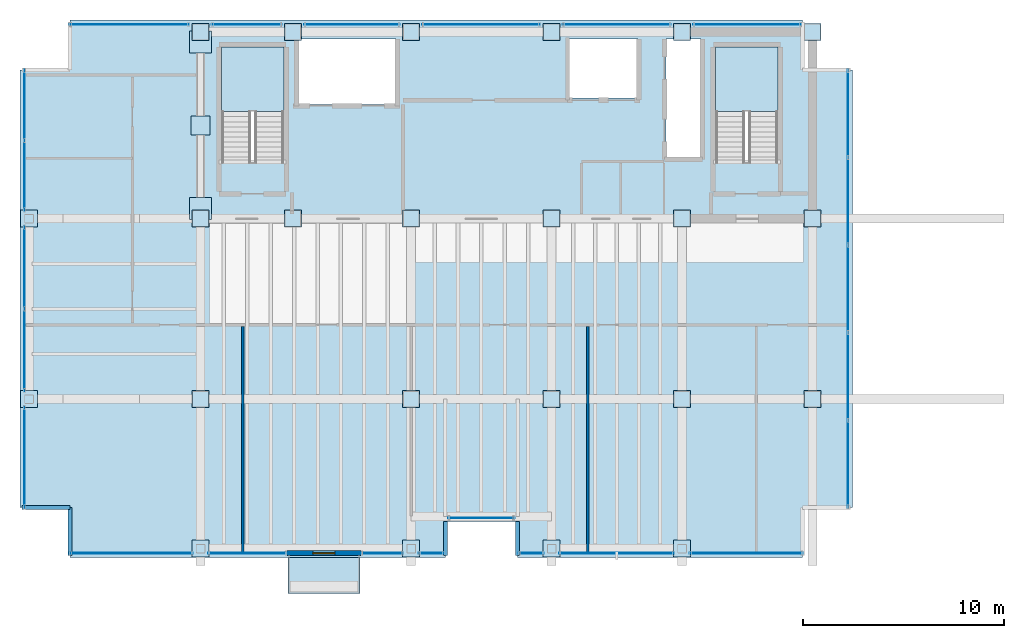
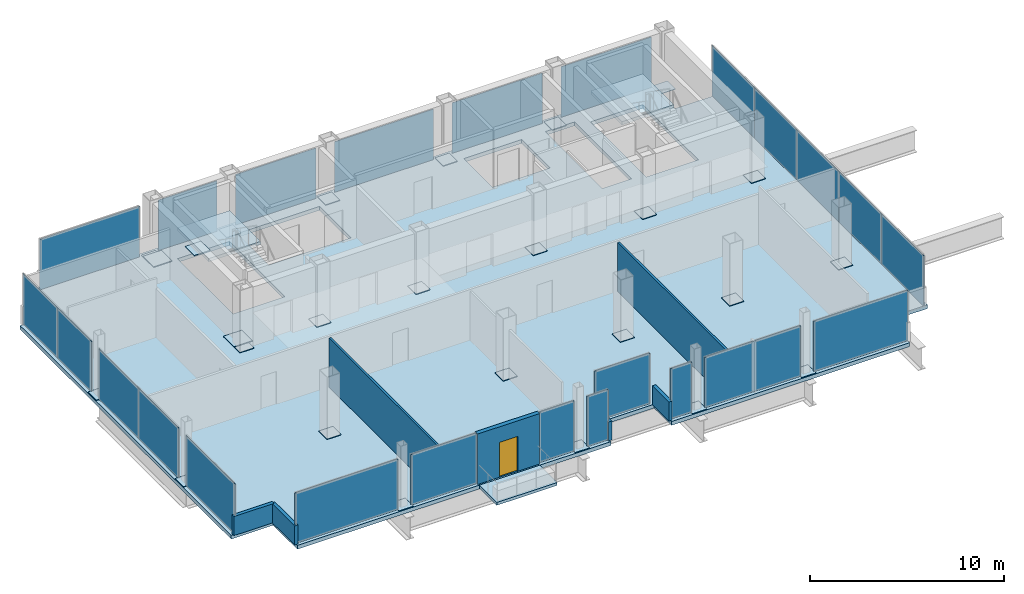
# One storey, part 19 of 22: 50 plates, 7 walls, 4 slabs, 1 door, 6 openings, 20 elements without a shape of their own.
"""IFC4 building model written with IfcOpenShell, lengths in metres."""

from ifc_helpers import new_model, si_unit, direction, frame, frame_2d, origin, origin_2d, place, context, subcontext, project, spatial, polyline, rectangle, outline, extrude, material, layer, layer_set, type_object, element, fill, aggregate, save


model = new_model("IFC4")

# Units and contexts
model_context = context("Model", 3, precision=1e-05, world=origin(), true_north=direction((0.0, 1.0)))
body_context = subcontext(model_context, "Body", "Model", "MODEL_VIEW")
ifc_project = project(units=[si_unit("LENGTHUNIT", "METRE"), si_unit("AREAUNIT", "SQUARE_METRE"), si_unit("VOLUMEUNIT", "CUBIC_METRE"), si_unit("PLANEANGLEUNIT", "RADIAN"), si_unit("MASSUNIT", "GRAM", prefix="KILO")], contexts=[model_context])

# Site, building, storey
site_placement = place(None, origin())
site = spatial("IfcSite", under=ifc_project, at=site_placement, CompositionType="ELEMENT")
building_placement = place(site_placement, origin())
building = spatial("IfcBuilding", under=site, at=building_placement, Name="Noeulbin Bourse Tower", CompositionType="ELEMENT")
storey_placement = place(building_placement, frame((0.0, 0.0, 230.60009765625)))
storey = spatial("IfcBuildingStorey", under=building, at=storey_placement, Name="L57", CompositionType="ELEMENT", Elevation=230.60009765625)

# Curtain wall, plate
ifc_material_1 = material(Name="High-Selectivity Low-Iron Glazing", Category="glass")
curtain_wall_type = type_object("IfcCurtainWallType", Name="CW-SYS-4", PredefinedType="NOTDEFINED", material=ifc_material_1)
curtain_wall_1_placement = place(storey_placement, origin())
curtain_wall_1 = element("IfcCurtainWall", 1, at=curtain_wall_1_placement, inside=storey, type_object=curtain_wall_type, Name="Unitised Curtain Wall CW-L57-SREC", PredefinedType="NOTDEFINED")
ifc_layer_1 = layer(ifc_material_1, 0.035888671875)
ifc_layer_set_1 = layer_set([ifc_layer_1], Name="High-Selectivity Low-Iron Glazing")
plate_type_1 = type_object("IfcPlateType", Name="CW-SYS-4-PNL", PredefinedType="CURTAIN_PANEL", material=ifc_layer_set_1)
plate_1_placement = place(storey_placement, frame((27.5, 14.080078125, 0.0), z_axis=(0.0, 0.0, 1.0), x_axis=(1.0, 0.0, 0.0)))
plate_1 = element("IfcPlate", 2, at=plate_1_placement, type_object=plate_type_1, Name="Glazed Curtain Panel CW-L57-SREC-P00", PredefinedType="CURTAIN_PANEL", context=body_context, shape_type="SweptSolid", body=[
    extrude(rectangle(XDim=3.300048828125, YDim=0.035888671875, at=origin_2d()), origin(), (0.0, 0.0, 1.0), 3.179931640625),
])
aggregate(curtain_wall_1, [plate_1])

curtain_wall_2_placement = place(storey_placement, origin())
curtain_wall_2 = element("IfcCurtainWall", 3, at=curtain_wall_2_placement, inside=storey, type_object=curtain_wall_type, Name="Unitised Curtain Wall CW-L57-S1-S1", PredefinedType="NOTDEFINED")
plate_2_placement = place(storey_placement, frame((10.047607421875, 12.320068359375, 0.0), z_axis=(0.0, 0.0, 1.0), x_axis=(1.0, 0.0, 0.0)))
plate_2 = element("IfcPlate", 4, at=plate_2_placement, type_object=plate_type_1, Name="Glazed Curtain Panel CW-L57-S1-S1-P00", PredefinedType="CURTAIN_PANEL", context=body_context, shape_type="SweptSolid", body=[
    extrude(rectangle(XDim=6.135009765625, YDim=0.035888671875, at=origin_2d()), origin(), (0.0, 0.0, 1.0), 3.179931640625),
])
aggregate(curtain_wall_2, [plate_2])

curtain_wall_3_placement = place(storey_placement, origin())
curtain_wall_3 = element("IfcCurtainWall", 5, at=curtain_wall_3_placement, inside=storey, type_object=curtain_wall_type, Name="Unitised Curtain Wall CW-L57-S1-S2", PredefinedType="NOTDEFINED")
plate_3_placement = place(storey_placement, frame((15.842529296875, 12.320068359375, 0.0), z_axis=(0.0, 0.0, 1.0), x_axis=(1.0, 0.0, 0.0)))
plate_3 = element("IfcPlate", 6, at=plate_3_placement, type_object=plate_type_1, Name="Glazed Curtain Panel CW-L57-S1-S2-P00", PredefinedType="CURTAIN_PANEL", context=body_context, shape_type="SweptSolid", body=[
    extrude(rectangle(XDim=3.9150390625, YDim=0.035888671875, at=origin_2d()), origin(), (0.0, 0.0, 1.0), 3.179931640625),
])
aggregate(curtain_wall_3, [plate_3])

curtain_wall_4_placement = place(storey_placement, origin())
curtain_wall_4 = element("IfcCurtainWall", 7, at=curtain_wall_4_placement, inside=storey, type_object=curtain_wall_type, Name="Unitised Curtain Wall CW-L57-S2-S1", PredefinedType="NOTDEFINED")
plate_4_placement = place(storey_placement, frame((22.5576171875, 12.320068359375, 0.0), z_axis=(0.0, 0.0, 1.0), x_axis=(1.0, 0.0, 0.0)))
plate_4 = element("IfcPlate", 8, at=plate_4_placement, type_object=plate_type_1, Name="Glazed Curtain Panel CW-L57-S2-S1-P00", PredefinedType="CURTAIN_PANEL", context=body_context, shape_type="SweptSolid", body=[
    extrude(rectangle(XDim=2.114990234375, YDim=0.035888671875, at=origin_2d()), origin(), (0.0, 0.0, 1.0), 3.179931640625),
])
aggregate(curtain_wall_4, [plate_4])

curtain_wall_5_placement = place(storey_placement, origin())
curtain_wall_5 = element("IfcCurtainWall", 9, at=curtain_wall_5_placement, inside=storey, type_object=curtain_wall_type, Name="Unitised Curtain Wall CW-L57-S2-S2", PredefinedType="NOTDEFINED")
plate_5_placement = place(storey_placement, frame((25.017578125, 12.320068359375, 0.0), z_axis=(0.0, 0.0, 1.0), x_axis=(1.0, 0.0, 0.0)))
plate_5 = element("IfcPlate", 10, at=plate_5_placement, type_object=plate_type_1, Name="Glazed Curtain Panel CW-L57-S2-S2-P00", PredefinedType="CURTAIN_PANEL", context=body_context, shape_type="SweptSolid", body=[
    extrude(rectangle(XDim=1.264892578125, YDim=0.035888671875, at=origin_2d()), origin(), (0.0, 0.0, 1.0), 3.179931640625),
])
aggregate(curtain_wall_5, [plate_5])

curtain_wall_6_placement = place(storey_placement, origin())
curtain_wall_6 = element("IfcCurtainWall", 11, at=curtain_wall_6_placement, inside=storey, type_object=curtain_wall_type, Name="Unitised Curtain Wall CW-L57-S3-S1", PredefinedType="NOTDEFINED")
plate_6_placement = place(storey_placement, frame((29.982421875, 12.320068359375, 0.0), z_axis=(0.0, 0.0, 1.0), x_axis=(1.0, 0.0, 0.0)))
plate_6 = element("IfcPlate", 12, at=plate_6_placement, type_object=plate_type_1, Name="Glazed Curtain Panel CW-L57-S3-S1-P00", PredefinedType="CURTAIN_PANEL", context=body_context, shape_type="SweptSolid", body=[
    extrude(rectangle(XDim=1.264892578125, YDim=0.035888671875, at=origin_2d()), origin(), (0.0, 0.0, 1.0), 3.179931640625),
])
aggregate(curtain_wall_6, [plate_6])

curtain_wall_7_placement = place(storey_placement, origin())
curtain_wall_7 = element("IfcCurtainWall", 13, at=curtain_wall_7_placement, inside=storey, type_object=curtain_wall_type, Name="Unitised Curtain Wall CW-L57-S3-S2", PredefinedType="NOTDEFINED")
plate_7_placement = place(storey_placement, frame((34.25, 12.320068359375, 0.0), z_axis=(0.0, 0.0, 1.0), x_axis=(1.0, 0.0, 0.0)))
plate_7 = element("IfcPlate", 14, at=plate_7_placement, type_object=plate_type_1, Name="Glazed Curtain Panel CW-L57-S3-S2-P00", PredefinedType="CURTAIN_PANEL", context=body_context, shape_type="SweptSolid", body=[
    extrude(rectangle(XDim=5.72998046875, YDim=0.035888671875, at=origin_2d()), origin(), (0.0, 0.0, 1.0), 3.179931640625),
])
aggregate(curtain_wall_7, [plate_7])

curtain_wall_8_placement = place(storey_placement, origin())
curtain_wall_8 = element("IfcCurtainWall", 15, at=curtain_wall_8_placement, inside=storey, type_object=curtain_wall_type, Name="Unitised Curtain Wall CW-L57-S3-S3", PredefinedType="NOTDEFINED")
plate_8_placement = place(storey_placement, frame((40.702392578125, 12.320068359375, 0.0), z_axis=(0.0, 0.0, 1.0), x_axis=(1.0, 0.0, 0.0)))
plate_8 = element("IfcPlate", 16, at=plate_8_placement, type_object=plate_type_1, Name="Glazed Curtain Panel CW-L57-S3-S3-P00", PredefinedType="CURTAIN_PANEL", context=body_context, shape_type="SweptSolid", body=[
    extrude(rectangle(XDim=5.635009765625, YDim=0.035888671875, at=origin_2d()), origin(), (0.0, 0.0, 1.0), 3.179931640625),
])
aggregate(curtain_wall_8, [plate_8])

curtain_wall_9_placement = place(storey_placement, origin())
curtain_wall_9 = element("IfcCurtainWall", 17, at=curtain_wall_9_placement, inside=storey, type_object=curtain_wall_type, Name="Unitised Curtain Wall CW-L57-N-S1", PredefinedType="NOTDEFINED")
plate_9_placement = place(storey_placement, frame((9.9599609375, 38.679931640625, 0.0), z_axis=(0.0, 0.0, 1.0), x_axis=(1.0, 0.0, 0.0)))
plate_9 = element("IfcPlate", 18, at=plate_9_placement, type_object=plate_type_1, Name="Glazed Curtain Panel CW-L57-N-S1-P00", PredefinedType="CURTAIN_PANEL", context=body_context, shape_type="SweptSolid", body=[
    extrude(rectangle(XDim=5.9599609375, YDim=0.035888671875, at=origin_2d()), origin(), (0.0, 0.0, 1.0), 3.179931640625),
])
aggregate(curtain_wall_9, [plate_9])

curtain_wall_10_placement = place(storey_placement, origin())
curtain_wall_10 = element("IfcCurtainWall", 19, at=curtain_wall_10_placement, inside=storey, type_object=curtain_wall_type, Name="Unitised Curtain Wall CW-L57-N-S2", PredefinedType="NOTDEFINED")
plate_10_placement = place(storey_placement, frame((15.800048828125, 38.679931640625, 0.0), z_axis=(0.0, 0.0, 1.0), x_axis=(1.0, 0.0, 0.0)))
plate_10 = element("IfcPlate", 20, at=plate_10_placement, type_object=plate_type_1, Name="Glazed Curtain Panel CW-L57-N-S2-P00", PredefinedType="CURTAIN_PANEL", context=body_context, shape_type="SweptSolid", body=[
    extrude(rectangle(XDim=3.47998046875, YDim=0.035888671875, at=origin_2d()), origin(), (0.0, 0.0, 1.0), 3.179931640625),
])
aggregate(curtain_wall_10, [plate_10])

curtain_wall_11_placement = place(storey_placement, origin())
curtain_wall_11 = element("IfcCurtainWall", 21, at=curtain_wall_11_placement, inside=storey, type_object=curtain_wall_type, Name="Unitised Curtain Wall CW-L57-N-S3", PredefinedType="NOTDEFINED")
plate_11_placement = place(storey_placement, frame((21.050048828125, 38.679931640625, 0.0), z_axis=(0.0, 0.0, 1.0), x_axis=(1.0, 0.0, 0.0)))
plate_11 = element("IfcPlate", 22, at=plate_11_placement, type_object=plate_type_1, Name="Glazed Curtain Panel CW-L57-N-S3-P00", PredefinedType="CURTAIN_PANEL", context=body_context, shape_type="SweptSolid", body=[
    extrude(rectangle(XDim=4.780029296875, YDim=0.035888671875, at=origin_2d()), origin(), (0.0, 0.0, 1.0), 3.179931640625),
])
aggregate(curtain_wall_11, [plate_11])

curtain_wall_12_placement = place(storey_placement, origin())
curtain_wall_12 = element("IfcCurtainWall", 23, at=curtain_wall_12_placement, inside=storey, type_object=curtain_wall_type, Name="Unitised Curtain Wall CW-L57-N-S4", PredefinedType="NOTDEFINED")
plate_12_placement = place(storey_placement, frame((27.5, 38.679931640625, 0.0), z_axis=(0.0, 0.0, 1.0), x_axis=(1.0, 0.0, 0.0)))
plate_12 = element("IfcPlate", 24, at=plate_12_placement, type_object=plate_type_1, Name="Glazed Curtain Panel CW-L57-N-S4-P00", PredefinedType="CURTAIN_PANEL", context=body_context, shape_type="SweptSolid", body=[
    extrude(rectangle(XDim=5.8798828125, YDim=0.035888671875, at=origin_2d()), origin(), (0.0, 0.0, 1.0), 3.179931640625),
])
aggregate(curtain_wall_12, [plate_12])

curtain_wall_13_placement = place(storey_placement, origin())
curtain_wall_13 = element("IfcCurtainWall", 25, at=curtain_wall_13_placement, inside=storey, type_object=curtain_wall_type, Name="Unitised Curtain Wall CW-L57-N-S5", PredefinedType="NOTDEFINED")
plate_13_placement = place(storey_placement, frame((34.25, 38.679931640625, 0.0), z_axis=(0.0, 0.0, 1.0), x_axis=(1.0, 0.0, 0.0)))
plate_13 = element("IfcPlate", 26, at=plate_13_placement, type_object=plate_type_1, Name="Glazed Curtain Panel CW-L57-N-S5-P00", PredefinedType="CURTAIN_PANEL", context=body_context, shape_type="SweptSolid", body=[
    extrude(rectangle(XDim=5.3798828125, YDim=0.035888671875, at=origin_2d()), origin(), (0.0, 0.0, 1.0), 3.179931640625),
])
aggregate(curtain_wall_13, [plate_13])

curtain_wall_14_placement = place(storey_placement, origin())
curtain_wall_14 = element("IfcCurtainWall", 27, at=curtain_wall_14_placement, inside=storey, type_object=curtain_wall_type, Name="Unitised Curtain Wall CW-L57-N-S6", PredefinedType="NOTDEFINED")
plate_14_placement = place(storey_placement, frame((40.75, 38.679931640625, 0.0), z_axis=(0.0, 0.0, 1.0), x_axis=(1.0, 0.0, 0.0)))
plate_14 = element("IfcPlate", 28, at=plate_14_placement, type_object=plate_type_1, Name="Glazed Curtain Panel CW-L57-N-S6-P00", PredefinedType="CURTAIN_PANEL", context=body_context, shape_type="SweptSolid", body=[
    extrude(rectangle(XDim=5.3798828125, YDim=0.035888671875, at=origin_2d()), origin(), (0.0, 0.0, 1.0), 3.179931640625),
])
aggregate(curtain_wall_14, [plate_14])

curtain_wall_15_placement = place(storey_placement, origin())
curtain_wall_15 = element("IfcCurtainWall", 29, at=curtain_wall_15_placement, inside=storey, type_object=curtain_wall_type, Name="Unitised Curtain Wall CW-L57-W-S1", PredefinedType="NOTDEFINED")
plate_15_placement = place(storey_placement, frame((4.719970703125, 17.097412109375, 0.0), z_axis=(0.0, 0.0, 1.0), x_axis=(0.0, 1.0, 0.0)))
plate_15 = element("IfcPlate", 30, at=plate_15_placement, type_object=plate_type_1, Name="Glazed Curtain Panel CW-L57-W-S1-P00", PredefinedType="CURTAIN_PANEL", context=body_context, shape_type="SweptSolid", body=[
    extrude(rectangle(XDim=5.034912109375, YDim=0.035888671875, at=origin_2d()), origin(), (0.0, 0.0, 1.0), 3.179931640625),
])
aggregate(curtain_wall_15, [plate_15])

# Curtain wall, plates
curtain_wall_16_placement = place(storey_placement, origin())
curtain_wall_16 = element("IfcCurtainWall", 31, at=curtain_wall_16_placement, inside=storey, type_object=curtain_wall_type, Name="Unitised Curtain Wall CW-L57-W-S2", PredefinedType="NOTDEFINED")
plate_16_placement = place(storey_placement, frame((4.719970703125, 22.4423828125, 0.0), z_axis=(0.0, 0.0, 1.0), x_axis=(0.0, 1.0, 0.0)))
plate_16 = element("IfcPlate", 32, at=plate_16_placement, type_object=plate_type_1, Name="Glazed Curtain Panel CW-L57-W-S2-P00", PredefinedType="CURTAIN_PANEL", context=body_context, shape_type="SweptSolid", body=[
    extrude(rectangle(XDim=4.114990234375, YDim=0.035888671875, at=origin_2d()), origin(), (0.0, 0.0, 1.0), 3.179931640625),
])
plate_17_placement = place(storey_placement, frame((4.719970703125, 26.5576171875, 0.0), z_axis=(0.0, 0.0, 1.0), x_axis=(0.0, 1.0, 0.0)))
plate_17 = element("IfcPlate", 33, at=plate_17_placement, type_object=plate_type_1, Name="Glazed Curtain Panel CW-L57-W-S2-P01", PredefinedType="CURTAIN_PANEL", context=body_context, shape_type="SweptSolid", body=[
    extrude(rectangle(XDim=4.114990234375, YDim=0.035888671875, at=origin_2d()), origin(), (0.0, 0.0, 1.0), 3.179931640625),
])
aggregate(curtain_wall_16, [plate_16, plate_17])

curtain_wall_17_placement = place(storey_placement, origin())
curtain_wall_17 = element("IfcCurtainWall", 34, at=curtain_wall_17_placement, inside=storey, type_object=curtain_wall_type, Name="Unitised Curtain Wall CW-L57-W-S3", PredefinedType="NOTDEFINED")
plate_18_placement = place(storey_placement, frame((4.719970703125, 31.143798828125, 0.0), z_axis=(0.0, 0.0, 1.0), x_axis=(0.0, 1.0, 0.0)))
plate_18 = element("IfcPlate", 35, at=plate_18_placement, type_object=plate_type_1, Name="Glazed Curtain Panel CW-L57-W-S3-P00", PredefinedType="CURTAIN_PANEL", context=body_context, shape_type="SweptSolid", body=[
    extrude(rectangle(XDim=3.517578125, YDim=0.035888671875, at=origin_2d()), origin(), (0.0, 0.0, 1.0), 3.179931640625),
])
plate_19_placement = place(storey_placement, frame((4.719970703125, 34.661376953125, 0.0), z_axis=(0.0, 0.0, 1.0), x_axis=(0.0, 1.0, 0.0)))
plate_19 = element("IfcPlate", 36, at=plate_19_placement, type_object=plate_type_1, Name="Glazed Curtain Panel CW-L57-W-S3-P01", PredefinedType="CURTAIN_PANEL", context=body_context, shape_type="SweptSolid", body=[
    extrude(rectangle(XDim=3.517578125, YDim=0.035888671875, at=origin_2d()), origin(), (0.0, 0.0, 1.0), 3.179931640625),
])
aggregate(curtain_wall_17, [plate_18, plate_19])

curtain_wall_18_placement = place(storey_placement, origin())
curtain_wall_18 = element("IfcCurtainWall", 37, at=curtain_wall_18_placement, inside=storey, type_object=curtain_wall_type, Name="Unitised Curtain Wall CW-L57-E", PredefinedType="NOTDEFINED")
plate_20_placement = place(storey_placement, frame((45.780029296875, 16.763916015625, 0.0), z_axis=(0.0, 0.0, 1.0), x_axis=(0.0, 1.0, 0.0)))
plate_20 = element("IfcPlate", 38, at=plate_20_placement, type_object=plate_type_1, Name="Glazed Curtain Panel CW-L57-E-P00", PredefinedType="CURTAIN_PANEL", context=body_context, shape_type="SweptSolid", body=[
    extrude(rectangle(XDim=4.367919921875, YDim=0.035888671875, at=origin_2d()), origin(), (0.0, 0.0, 1.0), 3.179931640625),
])
plate_21_placement = place(storey_placement, frame((45.780029296875, 21.132080078125, 0.0), z_axis=(0.0, 0.0, 1.0), x_axis=(0.0, 1.0, 0.0)))
plate_21 = element("IfcPlate", 39, at=plate_21_placement, type_object=plate_type_1, Name="Glazed Curtain Panel CW-L57-E-P01", PredefinedType="CURTAIN_PANEL", context=body_context, shape_type="SweptSolid", body=[
    extrude(rectangle(XDim=4.367919921875, YDim=0.035888671875, at=origin_2d()), origin(), (0.0, 0.0, 1.0), 3.179931640625),
])
plate_22_placement = place(storey_placement, frame((45.780029296875, 25.5, 0.0), z_axis=(0.0, 0.0, 1.0), x_axis=(0.0, 1.0, 0.0)))
plate_22 = element("IfcPlate", 40, at=plate_22_placement, type_object=plate_type_1, Name="Glazed Curtain Panel CW-L57-E-P02", PredefinedType="CURTAIN_PANEL", context=body_context, shape_type="SweptSolid", body=[
    extrude(rectangle(XDim=4.367919921875, YDim=0.035888671875, at=origin_2d()), origin(), (0.0, 0.0, 1.0), 3.179931640625),
])
plate_23_placement = place(storey_placement, frame((45.780029296875, 29.867919921875, 0.0), z_axis=(0.0, 0.0, 1.0), x_axis=(0.0, 1.0, 0.0)))
plate_23 = element("IfcPlate", 41, at=plate_23_placement, type_object=plate_type_1, Name="Glazed Curtain Panel CW-L57-E-P03", PredefinedType="CURTAIN_PANEL", context=body_context, shape_type="SweptSolid", body=[
    extrude(rectangle(XDim=4.367919921875, YDim=0.035888671875, at=origin_2d()), origin(), (0.0, 0.0, 1.0), 3.179931640625),
])
plate_24_placement = place(storey_placement, frame((45.780029296875, 34.236083984375, 0.0), z_axis=(0.0, 0.0, 1.0), x_axis=(0.0, 1.0, 0.0)))
plate_24 = element("IfcPlate", 42, at=plate_24_placement, type_object=plate_type_1, Name="Glazed Curtain Panel CW-L57-E-P04", PredefinedType="CURTAIN_PANEL", context=body_context, shape_type="SweptSolid", body=[
    extrude(rectangle(XDim=4.367919921875, YDim=0.035888671875, at=origin_2d()), origin(), (0.0, 0.0, 1.0), 3.179931640625),
])
aggregate(curtain_wall_18, [plate_20, plate_21, plate_22, plate_23, plate_24])

# Plates
ifc_material_2 = material(Name="Steel S355", Category="steel")
ifc_layer_2 = layer(ifc_material_2, 0.030029296875)
ifc_layer_set_2 = layer_set([ifc_layer_2], Name="Steel S355")
plate_type_2 = type_object("IfcPlateType", Name="PLT-BN1", PredefinedType="USERDEFINED", material=ifc_layer_set_2)
for number, where, z_axis, x_axis, name in (
    (43, (13.5, 29.0, 0.0048828125), (0.0, 0.0, 1.0), (1.0, 0.0, 0.0), "Mega-Column Splice Plate BN1-L57-01"),
    (44, (13.5, 38.300048828125, 0.0048828125), (0.0, 0.0, 1.0), (1.0, 0.0, 0.0), "Mega-Column Splice Plate BN1-L57-02"),
    (45, (18.10009765625, 29.0, 0.0048828125), (0.0, 0.0, 1.0), (1.0, 0.0, 0.0), "Mega-Column Splice Plate BN1-L57-03"),
    (46, (18.10009765625, 38.300048828125, 0.0048828125), (0.0, 0.0, 1.0), (1.0, 0.0, 0.0), "Mega-Column Splice Plate BN1-L57-04"),
    (47, (24.0, 29.0, 0.0048828125), (0.0, 0.0, 1.0), (1.0, 0.0, 0.0), "Mega-Column Splice Plate BN1-L57-05"),
    (48, (24.0, 38.300048828125, 0.0048828125), (0.0, 0.0, 1.0), (1.0, 0.0, 0.0), "Mega-Column Splice Plate BN1-L57-06"),
    (49, (31.0, 29.0, 0.0048828125), (0.0, 0.0, 1.0), (1.0, 0.0, 0.0), "Mega-Column Splice Plate BN1-L57-07"),
    (50, (31.0, 38.300048828125, 0.0048828125), (0.0, 0.0, 1.0), (1.0, 0.0, 0.0), "Mega-Column Splice Plate BN1-L57-08"),
    (51, (37.5, 29.0, 0.0048828125), (0.0, 0.0, 1.0), (1.0, 0.0, 0.0), "Mega-Column Splice Plate BN1-L57-09"),
    (52, (37.5, 38.300048828125, 0.0048828125), (0.0, 0.0, 1.0), (1.0, 0.0, 0.0), "Mega-Column Splice Plate BN1-L57-10"),
    (53, (44.0, 29.0, 0.0048828125), (0.0, 0.0, 1.0), (1.0, 0.0, 0.0), "Mega-Column Splice Plate BN1-L57-11"),
    (54, (44.0, 38.300048828125, 0.0048828125), (0.0, 0.0, 1.0), (1.0, 0.0, 0.0), "Mega-Column Splice Plate BN1-L57-12"),
    (55, (13.5, 20.0, 0.0048828125), (0.0, 0.0, 1.0), (1.0, 0.0, 0.0), "Mega-Column Splice Plate BN1-L57-13"),
    (56, (24.0, 20.0, 0.0048828125), (0.0, 0.0, 1.0), (1.0, 0.0, 0.0), "Mega-Column Splice Plate BN1-L57-14"),
    (57, (31.0, 20.0, 0.0048828125), (0.0, 0.0, 1.0), (1.0, 0.0, 0.0), "Mega-Column Splice Plate BN1-L57-15"),
    (58, (37.5, 20.0, 0.0048828125), (0.0, 0.0, 1.0), (1.0, 0.0, 0.0), "Mega-Column Splice Plate BN1-L57-16"),
    (59, (44.0, 20.0, 0.0048828125), (0.0, 0.0, 1.0), (1.0, 0.0, 0.0), "Mega-Column Splice Plate BN1-L57-17"),
    (60, (4.949951171875, 20.0, 0.0048828125), (0.0, 0.0, 1.0), (1.0, 0.0, 0.0), "Perimeter Column Splice Plate BN1-L57-01"),
    (61, (4.949951171875, 29.0, 0.0048828125), (0.0, 0.0, 1.0), (1.0, 0.0, 0.0), "Perimeter Column Splice Plate BN1-L57-02"),
    (62, (13.5, 12.550048828125, 0.0048828125), (0.0, 0.0, 1.0), (1.0, 0.0, 0.0), "Perimeter Column Splice Plate BN1-L57-03"),
    (63, (24.0, 12.550048828125, 0.0048828125), (0.0, 0.0, 1.0), (1.0, 0.0, 0.0), "Perimeter Column Splice Plate BN1-L57-04"),
    (64, (31.0, 12.550048828125, 0.0048828125), (0.0, 0.0, 1.0), (1.0, 0.0, 0.0), "Perimeter Column Splice Plate BN1-L57-05"),
    (65, (37.5, 12.550048828125, 0.0048828125), (0.0, 0.0, 1.0), (1.0, 0.0, 0.0), "Perimeter Column Splice Plate BN1-L57-06"),
):
    element("IfcPlate", number, at=place(storey_placement, frame(where, z_axis=z_axis, x_axis=x_axis)), inside=storey, type_object=plate_type_2, Name=name, ObjectType="SPLICE PLATE", PredefinedType="USERDEFINED", context=body_context, shape_type="SweptSolid", body=[
        extrude(rectangle(XDim=0.85009765625, YDim=0.85009765625, at=origin_2d()), origin(), (0.0, 0.0, 1.0), 0.030029296875),
    ])
ifc_material_3 = material(Name="Steel S460", Category="steel")
ifc_layer_3 = layer(ifc_material_3, 0.035888671875)
ifc_layer_set_3 = layer_set([ifc_layer_3], Name="Steel S460")
plate_type_3 = type_object("IfcPlateType", Name="PLT-KN2", PredefinedType="USERDEFINED", material=ifc_layer_set_3)
for number, where, z_axis, x_axis, name in (
    (66, (13.5, 29.5, 0.18212890625), (0.0, 0.0, 1.0), (1.0, 0.0, 0.0), "Core Flank Brace South Gusset Plate KN2-L57-WA"),
    (67, (13.5, 37.800048828125, 0.18212890625), (0.0, 0.0, 1.0), (1.0, 0.0, 0.0), "Core Flank Brace North Gusset Plate KN2-L57-WB"),
):
    element("IfcPlate", number, at=place(storey_placement, frame(where, z_axis=z_axis, x_axis=x_axis)), inside=storey, type_object=plate_type_3, Name=name, ObjectType="GUSSET PLATE", PredefinedType="USERDEFINED", context=body_context, shape_type="SweptSolid", body=[
        extrude(rectangle(XDim=1.10009765625, YDim=1.10009765625, at=origin_2d()), origin(), (0.0, 0.0, 1.0), 0.035888671875),
    ])
ifc_layer_4 = layer(ifc_material_2, 0.031982421875)
ifc_layer_set_4 = layer_set([ifc_layer_4], Name="Steel S355")
plate_type_4 = type_object("IfcPlateType", Name="PLT-KN3", PredefinedType="USERDEFINED", material=ifc_layer_set_4)
plate_25_placement = place(storey_placement, frame((13.5, 33.64990234375, 3.35400390625), z_axis=(0.0, 0.0, 1.0), x_axis=(1.0, 0.0, 0.0)))
element("IfcPlate", 68, at=plate_25_placement, inside=storey, type_object=plate_type_4, Name="Core Flank Brace Apex End Plate KN3-L57-W", ObjectType="END PLATE", PredefinedType="USERDEFINED", context=body_context, shape_type="SweptSolid", body=[
    extrude(rectangle(XDim=0.949951171875, YDim=0.949951171875, at=origin_2d()), origin(), (0.0, 0.0, 1.0), 0.031982421875),
])

# Stair, slab
ifc_material_4 = material(Name="Concrete C40/50", Category="concrete")
stair_type = type_object("IfcStairType", Name="STR-CORE-1560", PredefinedType="HALF_TURN_STAIR", material=ifc_material_4)
stair_1_placement = place(storey_placement, origin())
stair_1 = element("IfcStair", 69, at=stair_1_placement, inside=storey, type_object=stair_type, Name="L57 ST-1", PredefinedType="HALF_TURN_STAIR")
ifc_layer_5 = layer(ifc_material_4, 0.199951171875)
ifc_layer_set_5 = layer_set([ifc_layer_5], Name="Concrete C40/50")
slab_type_1 = type_object("IfcSlabType", Name="SLB-LND-200", PredefinedType="LANDING", material=ifc_layer_set_5)
slab_1_placement = place(storey_placement, frame((0.0, 0.0, 1.75)))
slab_1 = element("IfcSlab", 70, at=slab_1_placement, type_object=slab_type_1, Name="ST-1 landing 1", PredefinedType="LANDING", context=body_context, shape_type="SweptSolid", body=[
    extrude(outline(polyline([(17.64990234375, 34.330078125), (17.64990234375, 37.5439453125), (14.550048828125, 37.5439453125), (14.550048828125, 34.330078125), (17.64990234375, 34.330078125)])), origin(), (0.0, 0.0, 1.0), 0.199951171875),
])
aggregate(stair_1, [slab_1])

stair_2_placement = place(storey_placement, origin())
stair_2 = element("IfcStair", 71, at=stair_2_placement, inside=storey, type_object=stair_type, Name="L57 ST-2", PredefinedType="HALF_TURN_STAIR")
slab_2_placement = place(storey_placement, frame((0.0, 0.0, 1.75)))
slab_2 = element("IfcSlab", 72, at=slab_2_placement, type_object=slab_type_1, Name="ST-2 landing 1", PredefinedType="LANDING", context=body_context, shape_type="SweptSolid", body=[
    extrude(outline(polyline([(42.280029296875, 34.330078125), (42.280029296875, 37.5439453125), (39.179931640625, 37.5439453125), (39.179931640625, 34.330078125), (42.280029296875, 34.330078125)])), origin(), (0.0, 0.0, 1.0), 0.199951171875),
])
aggregate(stair_2, [slab_2])

# Slab, openings
ifc_layer_6 = layer(ifc_material_4, 0.239990234375)
ifc_layer_set_6 = layer_set([ifc_layer_6], Name="Concrete C40/50")
slab_type_2 = type_object("IfcSlabType", Name="SLB-TRF-240", PredefinedType="FLOOR", material=ifc_layer_set_6)
slab_3_placement = place(storey_placement, frame((0.0, 0.0, -0.239990234375)))
slab_3 = element("IfcSlab", 73, at=slab_3_placement, inside=storey, type_object=slab_type_2, Name="Tower Structural Floor Slab L57", PredefinedType="FLOOR", context=body_context, shape_type="SweptSolid", body=[
    extrude(outline(polyline([(7.0, 12.10009765625), (25.699951171875, 12.10009765625), (25.699951171875, 13.89990234375), (29.300048828125, 13.89990234375), (29.300048828125, 12.10009765625), (43.5, 12.10009765625), (43.5, 14.60009765625), (46.0, 14.60009765625), (46.0, 36.39990234375), (43.5, 36.39990234375), (43.5, 38.89990234375), (7.0, 38.89990234375), (7.0, 36.39990234375), (4.5, 36.39990234375), (4.5, 14.60009765625), (7.0, 14.60009765625), (7.0, 12.10009765625)]), holes=[polyline([(17.64990234375, 31.81005859375), (17.64990234375, 37.5439453125), (14.550048828125, 37.5439453125), (14.550048828125, 31.81005859375), (17.64990234375, 31.81005859375)]), polyline([(42.280029296875, 31.81005859375), (42.280029296875, 37.5439453125), (39.179931640625, 37.5439453125), (39.179931640625, 31.81005859375), (42.280029296875, 31.81005859375)]), polyline([(18.35009765625, 34.699951171875), (23.25, 34.699951171875), (23.25, 37.949951171875), (18.35009765625, 37.949951171875), (18.35009765625, 34.699951171875)]), polyline([(36.699951171875, 32.050048828125), (38.449951171875, 32.050048828125), (38.449951171875, 37.949951171875), (36.699951171875, 37.949951171875), (36.699951171875, 32.050048828125)]), polyline([(31.85009765625, 35.0), (35.300048828125, 35.0), (35.300048828125, 37.949951171875), (31.85009765625, 37.949951171875), (31.85009765625, 35.0)])]), origin(), (0.0, 0.0, 1.0), 0.239990234375),
])
opening_1_placement = place(slab_3_placement, frame((0.0, 0.0, -0.010009765625)))
element("IfcOpeningElement", 74, at=opening_1_placement, cuts=slab_3, Name="Slab Shaft Opening SLB-L57-TWR-1", PredefinedType="OPENING", context=body_context, shape_type="SweptSolid", body=[
    extrude(outline(polyline([(17.64990234375, 31.81005859375), (17.64990234375, 37.5439453125), (14.550048828125, 37.5439453125), (14.550048828125, 31.81005859375), (17.64990234375, 31.81005859375)])), origin(), (0.0, 0.0, 1.0), 0.260009765625),
])
opening_2_placement = place(slab_3_placement, frame((0.0, 0.0, -0.010009765625)))
element("IfcOpeningElement", 75, at=opening_2_placement, cuts=slab_3, Name="Slab Shaft Opening SLB-L57-TWR-2", PredefinedType="OPENING", context=body_context, shape_type="SweptSolid", body=[
    extrude(outline(polyline([(42.280029296875, 31.81005859375), (42.280029296875, 37.5439453125), (39.179931640625, 37.5439453125), (39.179931640625, 31.81005859375), (42.280029296875, 31.81005859375)])), origin(), (0.0, 0.0, 1.0), 0.260009765625),
])
opening_3_placement = place(slab_3_placement, frame((0.0, 0.0, -0.010009765625)))
element("IfcOpeningElement", 76, at=opening_3_placement, cuts=slab_3, Name="Slab Shaft Opening SLB-L57-TWR-3", PredefinedType="OPENING", context=body_context, shape_type="SweptSolid", body=[
    extrude(outline(polyline([(18.35009765625, 34.699951171875), (23.25, 34.699951171875), (23.25, 37.949951171875), (18.35009765625, 37.949951171875), (18.35009765625, 34.699951171875)])), origin(), (0.0, 0.0, 1.0), 0.260009765625),
])
opening_4_placement = place(slab_3_placement, frame((0.0, 0.0, -0.010009765625)))
element("IfcOpeningElement", 77, at=opening_4_placement, cuts=slab_3, Name="Slab Shaft Opening SLB-L57-TWR-4", PredefinedType="OPENING", context=body_context, shape_type="SweptSolid", body=[
    extrude(outline(polyline([(36.699951171875, 32.050048828125), (38.449951171875, 32.050048828125), (38.449951171875, 37.949951171875), (36.699951171875, 37.949951171875), (36.699951171875, 32.050048828125)])), origin(), (0.0, 0.0, 1.0), 0.260009765625),
])
opening_5_placement = place(slab_3_placement, frame((0.0, 0.0, -0.010009765625)))
element("IfcOpeningElement", 78, at=opening_5_placement, cuts=slab_3, Name="Slab Shaft Opening SLB-L57-TWR-5", PredefinedType="OPENING", context=body_context, shape_type="SweptSolid", body=[
    extrude(outline(polyline([(31.85009765625, 35.0), (35.300048828125, 35.0), (35.300048828125, 37.949951171875), (31.85009765625, 37.949951171875), (31.85009765625, 35.0)])), origin(), (0.0, 0.0, 1.0), 0.260009765625),
])

# Slab
ifc_layer_7 = layer(ifc_material_4, 0.179931640625)
ifc_layer_set_7 = layer_set([ifc_layer_7], Name="Concrete C40/50")
slab_type_3 = type_object("IfcSlabType", Name="SLB-TYP-180", PredefinedType="FLOOR", material=ifc_layer_set_7)
slab_4_placement = place(storey_placement, frame((0.0, 0.0, -0.18017578125)))
element("IfcSlab", 79, at=slab_4_placement, inside=storey, type_object=slab_type_3, Name="Cantilevered Tree-Balcony Slab L57", PredefinedType="FLOOR", context=body_context, shape_type="SweptSolid", body=[
    extrude(outline(polyline([(17.85009765625, 10.300048828125), (21.449951171875, 10.300048828125), (21.449951171875, 12.10009765625), (17.85009765625, 12.10009765625), (17.85009765625, 10.300048828125)])), origin(), (0.0, 0.0, 1.0), 0.18017578125),
])

# Wall, opening, door
ifc_material_5 = material(Name="Precast Concrete C40/50", Category="concrete")
ifc_layer_8 = layer(ifc_material_5, 0.25)
ifc_layer_set_8 = layer_set([ifc_layer_8], Name="Precast Concrete C40/50")
wall_type_1 = type_object("IfcWallType", Name="WAL-EXT-250", PredefinedType="STANDARD", material=ifc_layer_set_8)
wall_1_placement = place(storey_placement, frame((17.800048828125, 12.320068359375, 0.0), z_axis=(0.0, 0.0, 1.0), x_axis=(1.0, 0.0, 0.0)))
wall_1 = element("IfcWall", 80, at=wall_1_placement, inside=storey, type_object=wall_type_1, Name="Balcony Threshold Wall L57", PredefinedType="STANDARD", context=body_context, shape_type="SweptSolid", body=[
    extrude(rectangle(XDim=3.699951171875, YDim=0.25, at=frame_2d((1.85009765625, 0.0))), origin(), (0.0, 0.0, 1.0), 3.179931640625),
])
opening_6_placement = place(wall_1_placement, frame((1.300048828125, 0.0, 0.0)))
opening_6 = element("IfcOpeningElement", 81, at=opening_6_placement, cuts=wall_1, Name="Opening BD-11", PredefinedType="OPENING", context=body_context, shape_type="SweptSolid", body=[
    extrude(rectangle(XDim=1.10009765625, YDim=2.199951171875, at=frame_2d((0.550048828125, 1.10009765625))), frame((0.0, 0.135009765625, 0.0), z_axis=(0.0, -1.0, 0.0), x_axis=(1.0, 0.0, 0.0)), (0.0, 0.0, 1.0), 0.27001953125),
])
ifc_material_6 = material(Name="Thermally Broken Aluminium Framed Glass", Category="aluminium")
door_type = type_object("IfcDoorType", Name="DR-BAL-1100", OperationType="SINGLE_SWING_LEFT", PredefinedType="DOOR", material=ifc_material_6)
door_placement = place(opening_6_placement, origin())
door = element("IfcDoor", 82, at=door_placement, inside=storey, type_object=door_type, Name="Tree-Balcony Access Door BD-L57", OperationType="SINGLE_SWING_LEFT", OverallHeight=2.199951171875, OverallWidth=1.10009765625, PredefinedType="DOOR", context=body_context, shape_type="SweptSolid", body=[
    extrude(rectangle(XDim=1.10009765625, YDim=2.199951171875, at=frame_2d((0.550048828125, 1.10009765625))), frame((0.0, 0.02490234375, 0.0), z_axis=(0.0, -1.0, 0.0), x_axis=(1.0, 0.0, 0.0)), (0.0, 0.0, 1.0), 0.050048828125),
])
fill(opening_6, door)

# Walls
ifc_layer_9 = layer(ifc_material_4, 0.199951171875)
ifc_layer_set_9 = layer_set([ifc_layer_9], Name="Concrete C40/50")
wall_type_2 = type_object("IfcWallType", Name="WAL-PAR-200", PredefinedType="PARAPET", material=ifc_layer_set_9)
wall_2_placement = place(storey_placement, frame((4.60009765625, 14.60009765625, 0.0), z_axis=(0.0, 0.0, 1.0), x_axis=(1.0, 0.0, 0.0)))
element("IfcWall", 83, at=wall_2_placement, inside=storey, type_object=wall_type_2, Name="Corner Notch Parapet L57-SW1", PredefinedType="PARAPET", context=body_context, shape_type="SweptSolid", body=[
    extrude(rectangle(XDim=2.39990234375, YDim=0.199951171875, at=frame_2d((1.199951171875, 0.0))), origin(), (0.0, 0.0, 1.0), 1.199951171875),
])
wall_3_placement = place(storey_placement, frame((7.0, 14.60009765625, 0.0), z_axis=(0.0, 0.0, 1.0), x_axis=(0.0, -1.0, 0.0)))
element("IfcWall", 84, at=wall_3_placement, inside=storey, type_object=wall_type_2, Name="Corner Notch Parapet L57-SW2", PredefinedType="PARAPET", context=body_context, shape_type="SweptSolid", body=[
    extrude(rectangle(XDim=2.400146484375, YDim=0.199951171875, at=frame_2d((1.2001953125, 0.0))), origin(), (0.0, 0.0, 1.0), 1.199951171875),
])
for number, where, z_axis, x_axis, name in (
    (85, (25.699951171875, 12.199951171875, 0.0), (0.0, 0.0, 1.0), (0.0, 1.0, 0.0), "Sky-Garden Recess Parapet L57-W"),
    (86, (29.300048828125, 13.89990234375, 0.0), (0.0, 0.0, 1.0), (0.0, -1.0, 0.0), "Sky-Garden Recess Parapet L57-E"),
):
    element("IfcWall", number, at=place(storey_placement, frame(where, z_axis=z_axis, x_axis=x_axis)), inside=storey, type_object=wall_type_2, Name=name, PredefinedType="PARAPET", context=body_context, shape_type="SweptSolid", body=[
        extrude(rectangle(XDim=1.699951171875, YDim=0.199951171875, at=frame_2d((0.85009765625, 0.0))), origin(), (0.0, 0.0, 1.0), 1.199951171875),
    ])
ifc_material_7 = material(Name="Steel Stud Gypsum Partition", Category="steel")
ifc_layer_10 = layer(ifc_material_7, 0.1201171875)
ifc_layer_set_10 = layer_set([ifc_layer_10], Name="Steel Stud Gypsum Partition")
wall_type_3 = type_object("IfcWallType", Name="WAL-PRT-120", PredefinedType="PARTITIONING", material=ifc_layer_set_10)
for number, where, z_axis, x_axis, name in (
    (87, (15.60009765625, 12.409912109375, 0.0), (0.0, 0.0, 1.0), (0.0, 1.0, 0.0), "Interior Partition Wall L57-14"),
    (88, (32.800048828125, 12.409912109375, 0.0), (0.0, 0.0, 1.0), (0.0, 1.0, 0.0), "Interior Partition Wall L57-16"),
):
    element("IfcWall", number, at=place(storey_placement, frame(where, z_axis=z_axis, x_axis=x_axis)), inside=storey, type_object=wall_type_3, Name=name, PredefinedType="PARTITIONING", context=body_context, shape_type="SweptSolid", body=[
        extrude(rectangle(XDim=11.205078125, YDim=0.1201171875, at=frame_2d((5.6025390625, 0.0))), origin(), (0.0, 0.0, 1.0), 3.099853515625),
    ])

save(model, "model.ifc")
